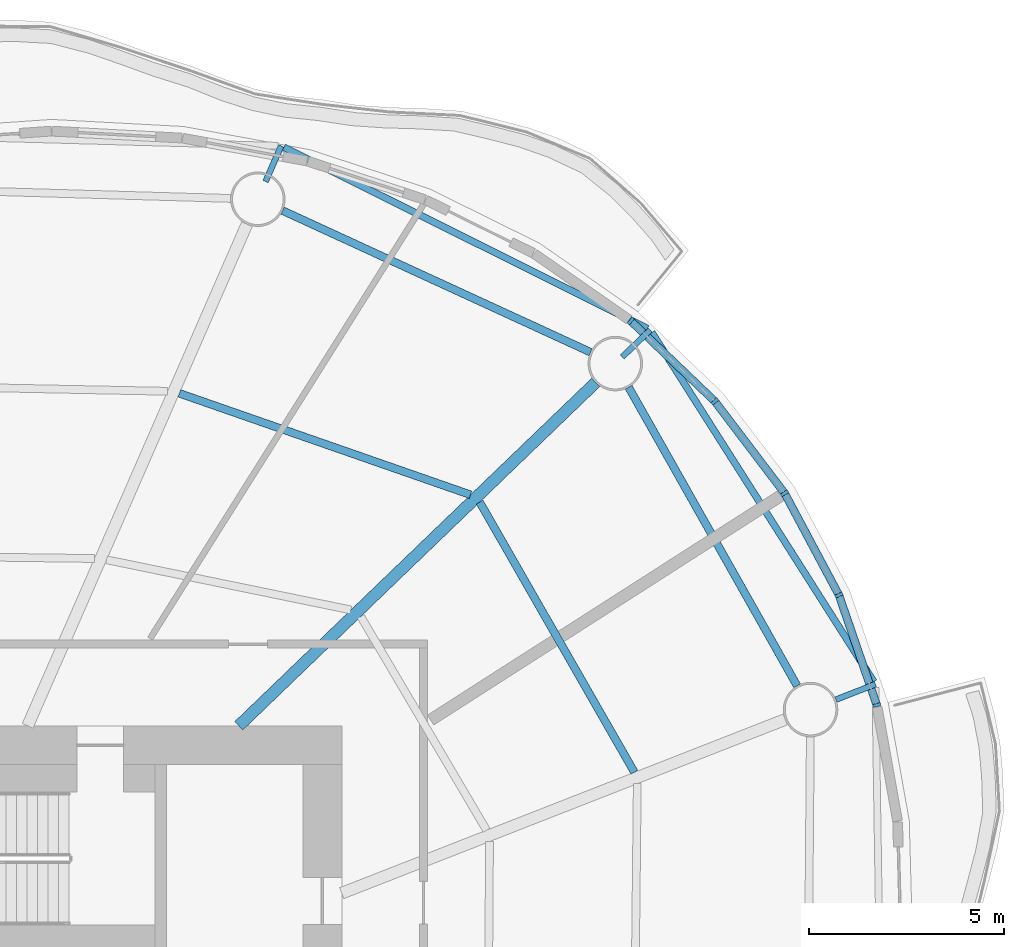
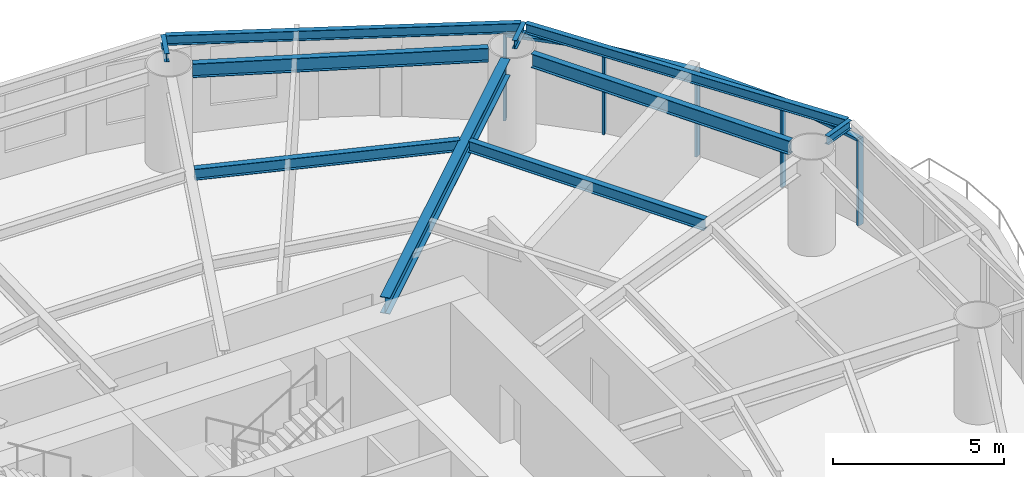
# One storey, part 6 of 14: 10 beams, 9 members, 4 elements without a shape of their own.
"""IFC4 building model written with IfcOpenShell, lengths in metres."""

from ifc_helpers import new_model, si_unit, direction, frame, origin, origin_2d, place, context, subcontext, project, spatial, rectangle, i_section, extrude, material, material_profile, profile_set, type_object, element, aggregate, save


model = new_model("IFC4")

# Units and contexts
model_context = context("Model", 3, precision=1e-05, world=origin(), true_north=direction((0.0, 1.0)))
body_context = subcontext(model_context, "Body", "Model", "MODEL_VIEW")
ifc_project = project(units=[si_unit("LENGTHUNIT", "METRE"), si_unit("AREAUNIT", "SQUARE_METRE"), si_unit("VOLUMEUNIT", "CUBIC_METRE"), si_unit("PLANEANGLEUNIT", "RADIAN"), si_unit("MASSUNIT", "GRAM", prefix="KILO")], contexts=[model_context])

# Site, building, storey
site_placement = place(None, origin())
site = spatial("IfcSite", under=ifc_project, at=site_placement, CompositionType="ELEMENT")
building_placement = place(site_placement, origin())
building = spatial("IfcBuilding", under=site, at=building_placement, Name="Vermilion Reach Broadcast Tower", CompositionType="ELEMENT")
storey_placement = place(building_placement, frame((0.0, 0.0, 165.0)))
storey = spatial("IfcBuildingStorey", under=building, at=storey_placement, Name="L39", CompositionType="ELEMENT", Elevation=165.0)

# Beams
ifc_material_1 = material(Name="Steel S355J2", Category="steel")
ifc_material_profile_1 = material_profile(ifc_material_1, i_section(OverallWidth=0.175048828125, OverallDepth=0.35009765625, WebThickness=0.007080078125, FlangeThickness=0.010986328125, at=origin_2d()), Name="S355J2 HN 350x175x7x11")
ifc_profile_set_1 = profile_set([ifc_material_profile_1], Name="Steel S355J2")
beam_type_1 = type_object("IfcBeamType", Name="EB3 HN 350x175x7x11", PredefinedType="BEAM", material=ifc_profile_set_1)
beam_1_placement = place(storey_placement, frame((13.852294921875, 19.20166015625, 3.27490234375), z_axis=(-0.894871132783, 0.446324608006, 0.0), x_axis=(-0.446324608006, -0.894871132783, 0.0)))
element("IfcBeam", 1, at=beam_1_placement, inside=storey, type_object=beam_type_1, Name="Edge beam EB3-01", PredefinedType="BEAM", context=body_context, shape_type="SweptSolid", body=[
    extrude(i_section(OverallWidth=0.175048828125, OverallDepth=0.35009765625, WebThickness=0.007080078125, FlangeThickness=0.010986328125, at=origin_2d()), origin(), (0.0, 0.0, 1.0), 10.4384765625),
])
beam_2_placement = place(storey_placement, frame((19.664306640625, 10.133056640625, 3.27490234375), z_axis=(-0.536371435763, 0.84398203944, 0.0), x_axis=(-0.84398203944, -0.536371435763, 0.0)))
element("IfcBeam", 2, at=beam_2_placement, inside=storey, type_object=beam_type_1, Name="Edge beam EB3-16", PredefinedType="BEAM", context=body_context, shape_type="SweptSolid", body=[
    extrude(i_section(OverallWidth=0.175048828125, OverallDepth=0.35009765625, WebThickness=0.007080078125, FlangeThickness=0.010986328125, at=origin_2d()), origin(), (0.0, 0.0, 1.0), 10.62646484375),
])
ifc_material_2 = material(Name="Steel S355J2", Category="steel")
ifc_material_profile_2 = material_profile(ifc_material_2, i_section(OverallWidth=0.300048828125, OverallDepth=0.587890625, WebThickness=0.011962890625, FlangeThickness=0.02001953125, at=origin_2d()), Name="S355J2 HM 588x300x12x20")
ifc_profile_set_2 = profile_set([ifc_material_profile_2], Name="Steel S355J2")
beam_type_2 = type_object("IfcBeamType", Name="G3 HM 588x300x12x20", PredefinedType="BEAM", material=ifc_profile_set_2)
beam_3_placement = place(storey_placement, frame((3.355712890625, 9.0, 3.156005859375), z_axis=(0.720670374476, 0.693277874559, 0.0), x_axis=(-0.693277874559, 0.720670374476, 0.0)))
element("IfcBeam", 3, at=beam_3_placement, inside=storey, type_object=beam_type_2, Name="Girder G3-01", PredefinedType="BEAM", context=body_context, shape_type="SweptSolid", body=[
    extrude(i_section(OverallWidth=0.300048828125, OverallDepth=0.587890625, WebThickness=0.011962890625, FlangeThickness=0.02001953125, at=origin_2d()), origin(), (0.0, 0.0, 1.0), 12.718505859375),
])
ifc_material_3 = material(Name="Steel S355J2", Category="steel")
ifc_material_profile_3 = material_profile(ifc_material_3, i_section(OverallWidth=0.14990234375, OverallDepth=0.300048828125, WebThickness=0.006591796875, FlangeThickness=0.009033203125, at=origin_2d()), Name="S355J2 HN 300x150x6.5x9")
ifc_profile_set_3 = profile_set([ifc_material_profile_3], Name="Steel S355J2")
beam_type_3 = type_object("IfcBeamType", Name="GS3 HN 300x150x6.5x9", PredefinedType="BEAM", material=ifc_profile_set_3)
for number, where, z_axis, x_axis, name in (
    (4, (13.202880859375, 18.472900390625, 3.300048828125), (0.720767376164, 0.69317702606, 0.0), (-0.69317702606, 0.720767376164, 0.0), "Cantilever stub GS3-01"),
    (5, (4.04345703125, 22.977783203125, 3.300048828125), (0.400626718411, 0.916241361485, 0.0), (-0.916241361485, 0.400626718411, 0.0), "Cantilever stub GS3-02"),
):
    element("IfcBeam", number, at=place(storey_placement, frame(where, z_axis=z_axis, x_axis=x_axis)), inside=storey, type_object=beam_type_3, Name=name, PredefinedType="BEAM", context=body_context, shape_type="SweptSolid", body=[
        extrude(i_section(OverallWidth=0.14990234375, OverallDepth=0.300048828125, WebThickness=0.006591796875, FlangeThickness=0.009033203125, at=origin_2d()), origin(), (0.0, 0.0, 1.0), 1.0),
    ])
beam_4_placement = place(storey_placement, frame((18.6923828125, 9.671875, 3.300048828125), z_axis=(0.931130155962, 0.364687033849, 0.0), x_axis=(-0.364687033849, 0.931130155962, 0.0)))
element("IfcBeam", 6, at=beam_4_placement, inside=storey, type_object=beam_type_3, Name="Cantilever stub GS3-16", PredefinedType="BEAM", context=body_context, shape_type="SweptSolid", body=[
    extrude(i_section(OverallWidth=0.14990234375, OverallDepth=0.300048828125, WebThickness=0.006591796875, FlangeThickness=0.009033203125, at=origin_2d()), origin(), (0.0, 0.0, 1.0), 1.087890625),
])
ifc_material_4 = material(Name="Steel S355J2", Category="steel")
ifc_material_profile_4 = material_profile(ifc_material_4, i_section(OverallWidth=0.199951171875, OverallDepth=0.5, WebThickness=0.010009765625, FlangeThickness=0.01611328125, at=origin_2d()), Name="S355J2 HN 500x200x10x16")
ifc_profile_set_4 = profile_set([ifc_material_profile_4], Name="Steel S355J2")
beam_type_4 = type_object("IfcBeamType", Name="RB3 HN 500x200x10x16", PredefinedType="BEAM", material=ifc_profile_set_4)
beam_5_placement = place(storey_placement, frame((12.389892578125, 18.594970703125, 3.199951171875), z_axis=(-0.908546241769, 0.417784306272, 0.0), x_axis=(-0.417784306272, -0.908546241769, 0.0)))
element("IfcBeam", 7, at=beam_5_placement, inside=storey, type_object=beam_type_4, Name="Ring beam RB3-01", PredefinedType="BEAM", context=body_context, shape_type="SweptSolid", body=[
    extrude(i_section(OverallWidth=0.199951171875, OverallDepth=0.5, WebThickness=0.010009765625, FlangeThickness=0.01611328125, at=origin_2d()), origin(), (0.0, 0.0, 1.0), 8.704833984375),
])
beam_6_placement = place(storey_placement, frame((17.696533203125, 10.026123046875, 3.199951171875), z_axis=(-0.491466825026, 0.870896296869, 0.0), x_axis=(-0.870896296869, -0.491466825026, 0.0)))
element("IfcBeam", 8, at=beam_6_placement, inside=storey, type_object=beam_type_4, Name="Ring beam RB3-16", PredefinedType="BEAM", context=body_context, shape_type="SweptSolid", body=[
    extrude(i_section(OverallWidth=0.199951171875, OverallDepth=0.5, WebThickness=0.010009765625, FlangeThickness=0.01611328125, at=origin_2d()), origin(), (0.0, 0.0, 1.0), 8.803466796875),
])
ifc_material_5 = material(Name="Steel S355J2", Category="steel")
ifc_material_profile_5 = material_profile(ifc_material_5, i_section(OverallWidth=0.199951171875, OverallDepth=0.39990234375, WebThickness=0.008056640625, FlangeThickness=0.012939453125, at=origin_2d()), Name="S355J2 HN 400x200x8x13")
ifc_profile_set_5 = profile_set([ifc_material_profile_5], Name="Steel S355J2")
beam_type_5 = type_object("IfcBeamType", Name="SB3 HN 400x200x8x13", PredefinedType="BEAM", material=ifc_profile_set_5)
beam_7_placement = place(storey_placement, frame((9.307373046875, 14.93359375, 3.25), z_axis=(-0.94431696779, 0.329037177754, 0.0), x_axis=(-0.329037177754, -0.94431696779, 0.0)))
element("IfcBeam", 9, at=beam_7_placement, inside=storey, type_object=beam_type_5, Name="Secondary beam SB3-01-2", PredefinedType="BEAM", context=body_context, shape_type="SweptSolid", body=[
    extrude(i_section(OverallWidth=0.199951171875, OverallDepth=0.39990234375, WebThickness=0.008056640625, FlangeThickness=0.012939453125, at=origin_2d()), origin(), (0.0, 0.0, 1.0), 7.91845703125),
])
beam_8_placement = place(storey_placement, frame((13.51708984375, 7.805908203125, 3.25), z_axis=(-0.497026503115, 0.867735360119, 0.0), x_axis=(-0.867735360119, -0.497026503115, 0.0)))
element("IfcBeam", 10, at=beam_8_placement, inside=storey, type_object=beam_type_5, Name="Secondary beam SB3-16-2", PredefinedType="BEAM", context=body_context, shape_type="SweptSolid", body=[
    extrude(i_section(OverallWidth=0.199951171875, OverallDepth=0.39990234375, WebThickness=0.008056640625, FlangeThickness=0.012939453125, at=origin_2d()), origin(), (0.0, 0.0, 1.0), 7.995849609375),
])

# Curtain wall, member
ifc_material_6 = material(Name="Low-e laminated clear glass in aluminium frame", Category="aluminium")
curtain_wall_type = type_object("IfcCurtainWallType", Name="Slot curtain wall", PredefinedType="NOTDEFINED", material=ifc_material_6)
placement = place(storey_placement, origin())
curtain_wall_1 = element("IfcCurtainWall", 11, at=placement, inside=storey, type_object=curtain_wall_type, Name="Slot curtain wall L39 46", PredefinedType="NOTDEFINED")
ifc_material_7 = material(Name="Anodised aluminium", Category="aluminium")
ifc_material_profile_6 = material_profile(ifc_material_7, rectangle(XDim=0.199951171875, YDim=0.080078125, at=origin_2d()), Name="Slot mullion 80 x 200")
ifc_profile_set_6 = profile_set([ifc_material_profile_6], Name="Anodised aluminium")
member_type_1 = type_object("IfcMemberType", Name="Slot mullion 80 x 200", PredefinedType="MULLION", material=ifc_profile_set_6)
member_1_placement = place(storey_placement, frame((19.742431640625, 9.53173828125, 0.0), z_axis=(0.0, 0.0, 1.0), x_axis=(-0.967856124681, -0.251504516694, 0.0)))
member_1 = element("IfcMember", 12, at=member_1_placement, type_object=member_type_1, Name="Slot mullion L39 46", PredefinedType="MULLION", context=body_context, shape_type="SweptSolid", body=[
    extrude(rectangle(XDim=0.199951171875, YDim=0.080078125, at=origin_2d()), origin(), (0.0, 0.0, 1.0), 3.10009765625),
])

curtain_wall_2 = element("IfcCurtainWall", 13, at=placement, inside=storey, type_object=curtain_wall_type, Name="Slot curtain wall L39 47", PredefinedType="NOTDEFINED")
member_2_placement = place(storey_placement, frame((18.76953125, 12.357666015625, 0.0), z_axis=(0.0, 0.0, 1.0), x_axis=(-0.916843405579, -0.399247003303, 0.0)))
member_2 = element("IfcMember", 14, at=member_2_placement, type_object=member_type_1, Name="Slot mullion L39 47", PredefinedType="MULLION", context=body_context, shape_type="SweptSolid", body=[
    extrude(rectangle(XDim=0.199951171875, YDim=0.080078125, at=origin_2d()), origin(), (0.0, 0.0, 1.0), 3.10009765625),
])

curtain_wall_3 = element("IfcCurtainWall", 15, at=placement, inside=storey, type_object=curtain_wall_type, Name="Slot curtain wall L39 00", PredefinedType="NOTDEFINED")
member_3_placement = place(storey_placement, frame((17.37548828125, 14.97216796875, 0.0), z_axis=(0.0, 0.0, 1.0), x_axis=(-0.842076060863, -0.539358793126, 0.0)))
member_3 = element("IfcMember", 16, at=member_3_placement, type_object=member_type_1, Name="Slot mullion L39 00", PredefinedType="MULLION", context=body_context, shape_type="SweptSolid", body=[
    extrude(rectangle(XDim=0.199951171875, YDim=0.080078125, at=origin_2d()), origin(), (0.0, 0.0, 1.0), 3.10009765625),
])

# Curtain wall, members
curtain_wall_4 = element("IfcCurtainWall", 17, at=placement, inside=storey, type_object=curtain_wall_type, Name="Slot curtain wall L39 01", PredefinedType="NOTDEFINED")
member_4_placement = place(storey_placement, frame((15.58349609375, 17.33203125, 0.0), z_axis=(0.0, 0.0, 1.0), x_axis=(-0.746070401605, -0.665867070705, 0.0)))
member_4 = element("IfcMember", 18, at=member_4_placement, type_object=member_type_1, Name="Slot mullion L39 01", PredefinedType="MULLION", context=body_context, shape_type="SweptSolid", body=[
    extrude(rectangle(XDim=0.199951171875, YDim=0.080078125, at=origin_2d()), origin(), (0.0, 0.0, 1.0), 3.10009765625),
])
member_5_placement = place(storey_placement, frame((13.42333984375, 19.397216796875, 0.0), z_axis=(0.0, 0.0, 1.0), x_axis=(-0.633199265842, -0.773988817579, 0.0)))
member_5 = element("IfcMember", 19, at=member_5_placement, type_object=member_type_1, Name="Slot mullion L39 02", PredefinedType="MULLION", context=body_context, shape_type="SweptSolid", body=[
    extrude(rectangle(XDim=0.199951171875, YDim=0.080078125, at=origin_2d()), origin(), (0.0, 0.0, 1.0), 3.10009765625),
])

# Member
ifc_material_8 = material(Name="Anodised aluminium", Category="aluminium")
ifc_material_profile_7 = material_profile(ifc_material_8, rectangle(XDim=0.199951171875, YDim=0.10009765625, at=origin_2d()), Name="Slot transom 200 x 100")
ifc_profile_set_7 = profile_set([ifc_material_profile_7], Name="Anodised aluminium")
member_type_2 = type_object("IfcMemberType", Name="Slot transom 200 x 100", PredefinedType="USERDEFINED", material=ifc_profile_set_7)
member_6_placement = place(storey_placement, frame((19.729248046875, 9.569580078125, 3.050048828125), z_axis=(-0.325429282045, 0.945566381799, 0.0), x_axis=(-0.945566381799, -0.325429282045, 0.0)))
member_6 = element("IfcMember", 20, at=member_6_placement, type_object=member_type_2, Name="Slot transom L39 46.1", ObjectType="TRANSOM", PredefinedType="USERDEFINED", context=body_context, shape_type="SweptSolid", body=[
    extrude(rectangle(XDim=0.199951171875, YDim=0.10009765625, at=origin_2d()), origin(), (0.0, 0.0, 1.0), 2.908447265625),
])

aggregate(curtain_wall_1, [member_1, member_6])

member_7_placement = place(storey_placement, frame((18.750732421875, 12.39306640625, 3.050048828125), z_axis=(-0.470500326435, 0.882399820277, 0.0), x_axis=(-0.882399820277, -0.470500326435, 0.0)))
member_7 = element("IfcMember", 21, at=member_7_placement, type_object=member_type_2, Name="Slot transom L39 47.1", ObjectType="TRANSOM", PredefinedType="USERDEFINED", context=body_context, shape_type="SweptSolid", body=[
    extrude(rectangle(XDim=0.199951171875, YDim=0.10009765625, at=origin_2d()), origin(), (0.0, 0.0, 1.0), 2.883056640625),
])

aggregate(curtain_wall_2, [member_2, member_7])

member_8_placement = place(storey_placement, frame((17.351318359375, 15.004150390625, 3.050048828125), z_axis=(-0.604812690604, 0.796367760073, 0.0), x_axis=(-0.796367760073, -0.604812690604, 0.0)))
member_8 = element("IfcMember", 22, at=member_8_placement, type_object=member_type_2, Name="Slot transom L39 00.1", ObjectType="TRANSOM", PredefinedType="USERDEFINED", context=body_context, shape_type="SweptSolid", body=[
    extrude(rectangle(XDim=0.199951171875, YDim=0.10009765625, at=origin_2d()), origin(), (0.0, 0.0, 1.0), 2.883056640625),
])

aggregate(curtain_wall_3, [member_3, member_8])

member_9_placement = place(storey_placement, frame((15.554443359375, 17.359619140625, 3.050048828125), z_axis=(-0.722753054214, 0.691106375766, 0.0), x_axis=(-0.691106375766, -0.722753054214, 0.0)))
member_9 = element("IfcMember", 23, at=member_9_placement, type_object=member_type_2, Name="Slot transom L39 01.1", ObjectType="TRANSOM", PredefinedType="USERDEFINED", context=body_context, shape_type="SweptSolid", body=[
    extrude(rectangle(XDim=0.199951171875, YDim=0.10009765625, at=origin_2d()), origin(), (0.0, 0.0, 1.0), 2.908447265625),
])

aggregate(curtain_wall_4, [member_4, member_5, member_9])

save(model, "model.ifc")
